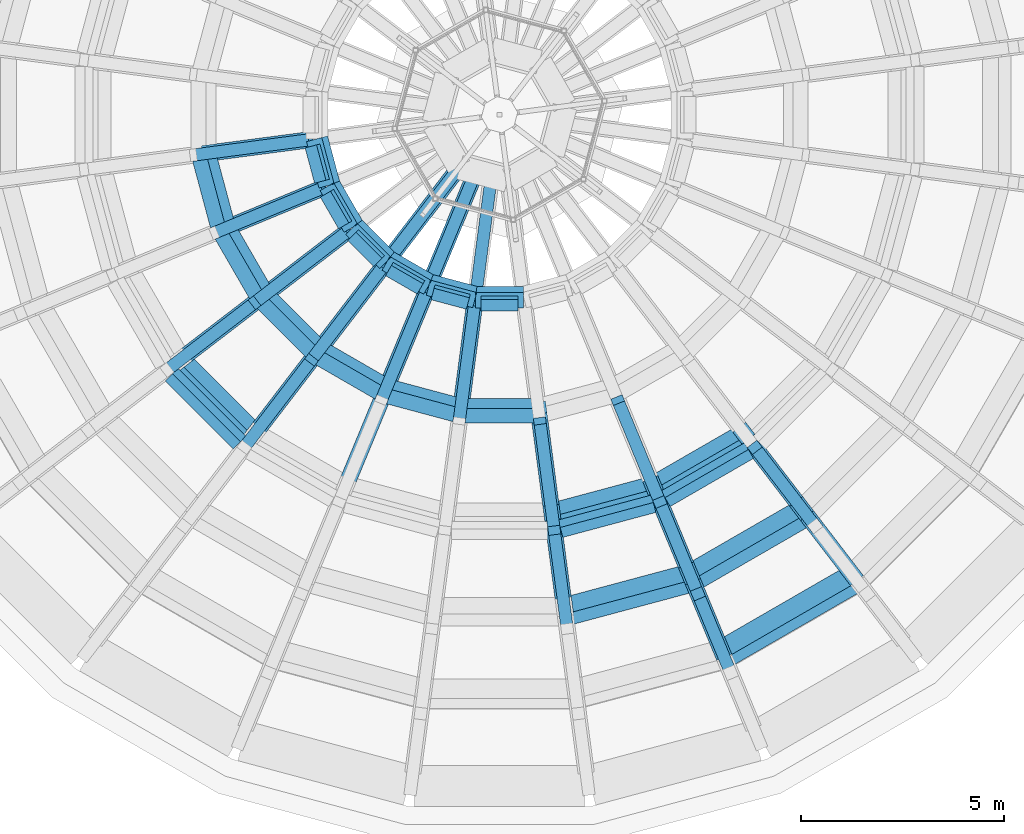
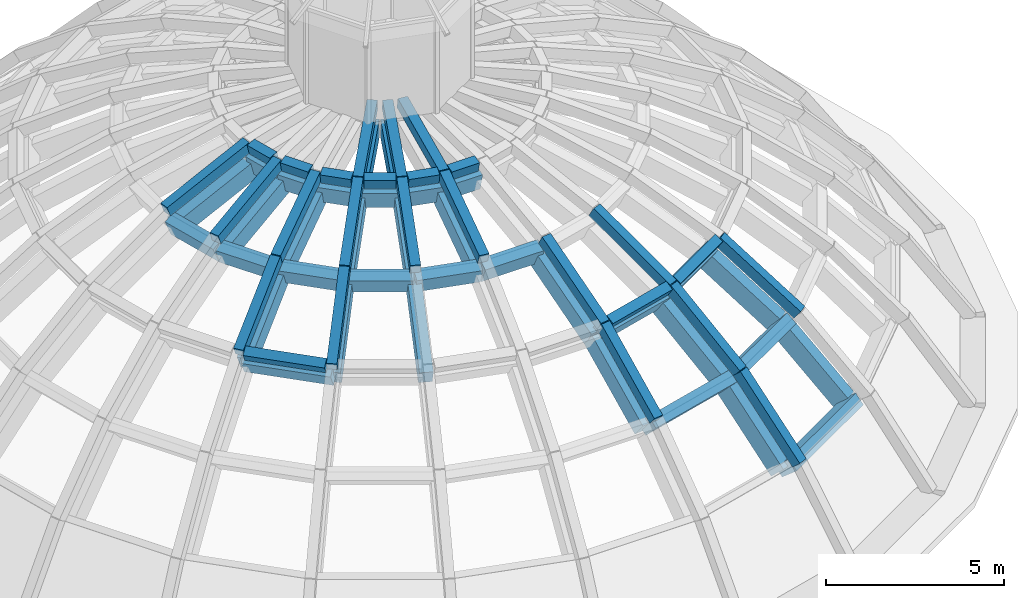
# One storey, part 11 of 29: 34 members, 27 beams.
"""IFC4 building model written with IfcOpenShell, lengths in metres."""

from ifc_helpers import new_model, si_unit, direction, frame, origin, origin_2d, place, context, subcontext, project, spatial, rectangle, extrude, material, material_profile, profile_set, type_object, element, save


model = new_model("IFC4")

# Units and contexts
model_context = context("Model", 3, precision=1e-05, world=origin(), true_north=direction((0.0, 1.0)))
body_context = subcontext(model_context, "Body", "Model", "MODEL_VIEW")
ifc_project = project(units=[si_unit("LENGTHUNIT", "METRE"), si_unit("AREAUNIT", "SQUARE_METRE"), si_unit("VOLUMEUNIT", "CUBIC_METRE"), si_unit("PLANEANGLEUNIT", "RADIAN"), si_unit("MASSUNIT", "GRAM", prefix="KILO")], contexts=[model_context])

# Site, building, storey
site_placement = place(None, origin())
site = spatial("IfcSite", under=ifc_project, at=site_placement, CompositionType="ELEMENT")
building_placement = place(site_placement, origin())
building = spatial("IfcBuilding", under=site, at=building_placement, Name="Golden Quay Civic Hall", CompositionType="ELEMENT")
storey_placement = place(building_placement, frame((0.0, 0.0, 27.0)))
storey = spatial("IfcBuildingStorey", under=building, at=storey_placement, Name="L06", CompositionType="ELEMENT", Elevation=27.0)

# Members
ifc_material_1 = material(Name="Concrete C40/50", Category="concrete")
ifc_material_profile_1 = material_profile(ifc_material_1, rectangle(XDim=0.39990234375, YDim=0.60009765625, at=origin_2d()), Name="RC 400x600")
ifc_profile_set_1 = profile_set([ifc_material_profile_1], Name="Concrete C40/50")
member_type_1 = type_object("IfcMemberType", Name="Reinforced concrete dome meridian rib 400x600", PredefinedType="STRUT", material=ifc_profile_set_1)
member_1_placement = place(storey_placement, frame((78.2939453125, 84.55126953125, 7.649169921875), z_axis=(0.937594712982, 0.123428723032, 0.325086918407), x_axis=(-0.130517915671, 0.991445950967, 0.0)))
element("IfcMember", 1, at=member_1_placement, inside=storey, type_object=member_type_1, Name="Dome meridian rib 13.5", PredefinedType="STRUT", context=body_context, shape_type="SweptSolid", body=[
    extrude(rectangle(XDim=0.39990234375, YDim=0.60009765625, at=origin_2d()), origin(), (0.0, 0.0, 1.0), 2.94921875),
])
for number, where, z_axis, x_axis, name in (
    (2, (78.784912109375, 82.718505859375, 7.649169921875), (0.87370637571, 0.361899031227, 0.325063471095), (-0.382681628015, 0.923880279895, 0.0), "Dome meridian rib 14.5"),
    (3, (77.673583984375, 79.49462890625, 6.25048828125), (0.698460851057, 0.535972269565, 0.47422164206), (-0.608778878712, 0.793339950358, 0.0), "Dome meridian rib 15.4"),
):
    element("IfcMember", number, at=place(storey_placement, frame(where, z_axis=z_axis, x_axis=x_axis)), inside=storey, type_object=member_type_1, Name=name, PredefinedType="STRUT", context=body_context, shape_type="SweptSolid", body=[
        extrude(rectangle(XDim=0.39990234375, YDim=0.60009765625, at=origin_2d()), origin(), (0.0, 0.0, 1.0), 2.949462890625),
    ])
member_2_placement = place(storey_placement, frame((79.733642578125, 81.075439453125, 7.649169921875), z_axis=(0.750307626123, 0.575644222425, 0.325072600153), x_axis=(-0.608703478453, 0.793397803954, 0.0)))
element("IfcMember", 4, at=member_2_placement, inside=storey, type_object=member_type_1, Name="Dome meridian rib 15.5", PredefinedType="STRUT", context=body_context, shape_type="SweptSolid", body=[
    extrude(rectangle(XDim=0.39990234375, YDim=0.60009765625, at=origin_2d()), origin(), (0.0, 0.0, 1.0), 2.94921875),
])
member_3_placement = place(storey_placement, frame((79.49462890625, 77.673583984375, 6.25048828125), z_axis=(0.535972269565, 0.698460851057, 0.47422164206), x_axis=(-0.793339950358, 0.608778878712, 0.0)))
element("IfcMember", 5, at=member_3_placement, inside=storey, type_object=member_type_1, Name="Dome meridian rib 16.4", PredefinedType="STRUT", context=body_context, shape_type="SweptSolid", body=[
    extrude(rectangle(XDim=0.39990234375, YDim=0.60009765625, at=origin_2d()), origin(), (0.0, 0.0, 1.0), 2.949462890625),
])
member_4_placement = place(storey_placement, frame((81.075439453125, 79.733642578125, 7.649169921875), z_axis=(0.575644222425, 0.750307626123, 0.325072600153), x_axis=(-0.793397803954, 0.608703478453, 0.0)))
element("IfcMember", 6, at=member_4_placement, inside=storey, type_object=member_type_1, Name="Dome meridian rib 16.5", PredefinedType="STRUT", context=body_context, shape_type="SweptSolid", body=[
    extrude(rectangle(XDim=0.39990234375, YDim=0.60009765625, at=origin_2d()), origin(), (0.0, 0.0, 1.0), 2.94921875),
])
member_5_placement = place(storey_placement, frame((82.773193359375, 81.946533203125, 8.60791015625), z_axis=(0.600193374761, 0.782130354175, 0.167451551116), x_axis=(-0.793331958561, 0.608789293209, 0.0)))
element("IfcMember", 7, at=member_5_placement, inside=storey, type_object=member_type_1, Name="Dome meridian rib 16.6", PredefinedType="STRUT", context=body_context, shape_type="SweptSolid", body=[
    extrude(rectangle(XDim=0.39990234375, YDim=0.60009765625, at=origin_2d()), origin(), (0.0, 0.0, 1.0), 2.949462890625),
])
member_6_placement = place(storey_placement, frame((81.724853515625, 76.385986328125, 6.25048828125), z_axis=(0.336908735718, 0.813382122153, 0.474238365338), x_axis=(-0.923881608957, 0.382678419342, 0.0)))
element("IfcMember", 8, at=member_6_placement, inside=storey, type_object=member_type_1, Name="Dome meridian rib 17.4", PredefinedType="STRUT", context=body_context, shape_type="SweptSolid", body=[
    extrude(rectangle(XDim=0.39990234375, YDim=0.60009765625, at=origin_2d()), origin(), (0.0, 0.0, 1.0), 2.94921875),
])
member_7_placement = place(storey_placement, frame((82.718505859375, 78.784912109375, 7.649169921875), z_axis=(0.361899031227, 0.87370637571, 0.325063471095), x_axis=(-0.923880279895, 0.382681628015, 0.0)))
element("IfcMember", 9, at=member_7_placement, inside=storey, type_object=member_type_1, Name="Dome meridian rib 17.5", PredefinedType="STRUT", context=body_context, shape_type="SweptSolid", body=[
    extrude(rectangle(XDim=0.39990234375, YDim=0.60009765625, at=origin_2d()), origin(), (0.0, 0.0, 1.0), 2.949462890625),
])
for number, where, z_axis, x_axis, name in (
    (10, (83.785888671875, 81.36181640625, 8.60791015625), (0.377308182311, 0.910820958747, 0.167462582891), (-0.923867414966, 0.382712685396, 0.0), "Dome meridian rib 17.6"),
    (11, (84.55126953125, 78.2939453125, 7.649169921875), (0.123428723032, 0.937594712982, 0.325086918407), (-0.991445950967, 0.130517915671, 0.0), "Dome meridian rib 18.5"),
    (12, (87.092529296875, 73.40380859375, 4.44970703125), (-0.103392551134, 0.785170814657, 0.61058723552), (-0.991441126748, -0.130554556385, 0.0), "Dome meridian rib 19.3"),
):
    element("IfcMember", number, at=place(storey_placement, frame(where, z_axis=z_axis, x_axis=x_axis)), inside=storey, type_object=member_type_1, Name=name, PredefinedType="STRUT", context=body_context, shape_type="SweptSolid", body=[
        extrude(rectangle(XDim=0.39990234375, YDim=0.60009765625, at=origin_2d()), origin(), (0.0, 0.0, 1.0), 2.94921875),
    ])
for number, where, z_axis, x_axis, name in (
    (13, (86.78759765625, 75.719482421875, 6.25048828125), (-0.114893336309, 0.87287480647, 0.474224728902), (-0.991448214162, -0.130500722737, 0.0), "Dome meridian rib 19.4"),
    (14, (90.939208984375, 72.36865234375, 2.293701171875), (-0.26115971051, 0.630425469175, 0.730998860069), (-0.923864542042, -0.382719620554, 0.0), "Dome meridian rib 20.2"),
):
    element("IfcMember", number, at=place(storey_placement, frame(where, z_axis=z_axis, x_axis=x_axis)), inside=storey, type_object=member_type_1, Name=name, PredefinedType="STRUT", context=body_context, shape_type="SweptSolid", body=[
        extrude(rectangle(XDim=0.39990234375, YDim=0.60009765625, at=origin_2d()), origin(), (0.0, 0.0, 1.0), 2.949462890625),
    ])
member_8_placement = place(storey_placement, frame((90.1689453125, 74.22802734375, 4.44970703125), z_axis=(-0.303052719311, 0.731680684509, 0.610575486926), x_axis=(-0.923888167801, -0.382662584265, 0.0)))
element("IfcMember", 15, at=member_8_placement, inside=storey, type_object=member_type_1, Name="Dome meridian rib 20.3", PredefinedType="STRUT", context=body_context, shape_type="SweptSolid", body=[
    extrude(rectangle(XDim=0.39990234375, YDim=0.60009765625, at=origin_2d()), origin(), (0.0, 0.0, 1.0), 2.94921875),
])
member_9_placement = place(storey_placement, frame((94.15234375, 74.223876953125, 2.293701171875), z_axis=(-0.415380151346, 0.541368312037, 0.731012777309), x_axis=(-0.793372000459, -0.608737109833, 0.0)))
element("IfcMember", 16, at=member_9_placement, inside=storey, type_object=member_type_1, Name="Dome meridian rib 21.2", PredefinedType="STRUT", context=body_context, shape_type="SweptSolid", body=[
    extrude(rectangle(XDim=0.39990234375, YDim=0.60009765625, at=origin_2d()), origin(), (0.0, 0.0, 1.0), 2.949462890625),
])
member_10_placement = place(storey_placement, frame((92.92724609375, 75.820556640625, 4.44970703125), z_axis=(-0.482109208153, 0.628298229719, 0.610583365271), x_axis=(-0.793353937939, -0.608760650139, 0.0)))
element("IfcMember", 17, at=member_10_placement, inside=storey, type_object=member_type_1, Name="Dome meridian rib 21.3", PredefinedType="STRUT", context=body_context, shape_type="SweptSolid", body=[
    extrude(rectangle(XDim=0.39990234375, YDim=0.60009765625, at=origin_2d()), origin(), (0.0, 0.0, 1.0), 2.94921875),
])
ifc_material_2 = material(Name="Concrete C40/50", Category="concrete")
ifc_material_profile_2 = material_profile(ifc_material_2, rectangle(XDim=0.300048828125, YDim=0.35009765625, at=origin_2d()), Name="RC 300x350")
ifc_profile_set_2 = profile_set([ifc_material_profile_2], Name="Concrete C40/50")
member_type_2 = type_object("IfcMemberType", Name="Reinforced concrete dome outer rib 300x350", PredefinedType="STRUT", material=ifc_profile_set_2)
for number, where, z_axis, x_axis, name in (
    (18, (77.973876953125, 84.50927734375, 8.386474609375), (0.937591847923, 0.123400719122, 0.325105812357), (-0.130489199571, 0.991449730846, 0.0), "Dome outer rib 13.5"),
    (19, (78.48681640625, 82.594970703125, 8.386474609375), (0.873682825945, 0.361901096187, 0.325124462671), (-0.382692296203, 0.923875860939, 0.0), "Dome outer rib 14.5"),
    (20, (77.325927734375, 79.227783203125, 6.926025390625), (0.698495937356, 0.53601815776, 0.474118086607), (-0.608792435052, 0.793329547555, 0.0), "Dome outer rib 15.4"),
):
    element("IfcMember", number, at=place(storey_placement, frame(where, z_axis=z_axis, x_axis=x_axis)), inside=storey, type_object=member_type_2, Name=name, PredefinedType="STRUT", context=body_context, shape_type="SweptSolid", body=[
        extrude(rectangle(XDim=0.300048828125, YDim=0.35009765625, at=origin_2d()), origin(), (0.0, 0.0, 1.0), 3.080322265625),
    ])
member_11_placement = place(storey_placement, frame((79.4775390625, 80.87890625, 8.386474609375), z_axis=(0.750306274823, 0.575628443439, 0.325103658955), x_axis=(-0.608693665393, 0.793405332545, 0.0)))
element("IfcMember", 21, at=member_11_placement, inside=storey, type_object=member_type_2, Name="Dome outer rib 15.5", PredefinedType="STRUT", context=body_context, shape_type="SweptSolid", body=[
    extrude(rectangle(XDim=0.300048828125, YDim=0.35009765625, at=origin_2d()), origin(), (0.0, 0.0, 1.0), 3.08056640625),
])
member_12_placement = place(storey_placement, frame((79.227783203125, 77.325927734375, 6.926025390625), z_axis=(0.53601815776, 0.698495937356, 0.474118086607), x_axis=(-0.793329547555, 0.608792435052, 0.0)))
element("IfcMember", 22, at=member_12_placement, inside=storey, type_object=member_type_2, Name="Dome outer rib 16.4", PredefinedType="STRUT", context=body_context, shape_type="SweptSolid", body=[
    extrude(rectangle(XDim=0.300048828125, YDim=0.35009765625, at=origin_2d()), origin(), (0.0, 0.0, 1.0), 3.080322265625),
])
member_13_placement = place(storey_placement, frame((80.87890625, 79.4775390625, 8.386474609375), z_axis=(0.575628443439, 0.750306274823, 0.325103658955), x_axis=(-0.793405332545, 0.608693665393, 0.0)))
element("IfcMember", 23, at=member_13_placement, inside=storey, type_object=member_type_2, Name="Dome outer rib 16.5", PredefinedType="STRUT", context=body_context, shape_type="SweptSolid", body=[
    extrude(rectangle(XDim=0.300048828125, YDim=0.35009765625, at=origin_2d()), origin(), (0.0, 0.0, 1.0), 3.08056640625),
])
for number, where, z_axis, x_axis, name in (
    (24, (82.652099609375, 81.788818359375, 9.387939453125), (0.600214696758, 0.782109946865, 0.167470441602), (-0.793313840968, 0.608812902072, 0.0), "Dome outer rib 16.6"),
    (25, (82.594970703125, 78.48681640625, 8.386474609375), (0.361901096187, 0.873682825945, 0.325124462671), (-0.923875860939, 0.382692296203, 0.0), "Dome outer rib 17.5"),
):
    element("IfcMember", number, at=place(storey_placement, frame(where, z_axis=z_axis, x_axis=x_axis)), inside=storey, type_object=member_type_2, Name=name, PredefinedType="STRUT", context=body_context, shape_type="SweptSolid", body=[
        extrude(rectangle(XDim=0.300048828125, YDim=0.35009765625, at=origin_2d()), origin(), (0.0, 0.0, 1.0), 3.080322265625),
    ])
member_14_placement = place(storey_placement, frame((83.709716796875, 81.177978515625, 9.387939453125), z_axis=(0.377241833986, 0.91084882311, 0.167460503196), x_axis=(-0.923895347406, 0.3826452496, 0.0)))
element("IfcMember", 26, at=member_14_placement, inside=storey, type_object=member_type_2, Name="Dome outer rib 17.6", PredefinedType="STRUT", context=body_context, shape_type="SweptSolid", body=[
    extrude(rectangle(XDim=0.300048828125, YDim=0.35009765625, at=origin_2d()), origin(), (0.0, 0.0, 1.0), 3.08056640625),
])
for number, where, z_axis, x_axis, name in (
    (27, (84.50927734375, 77.973876953125, 8.386474609375), (0.123400719122, 0.937591847923, 0.325105812357), (-0.991449730846, 0.130489199571, 0.0), "Dome outer rib 18.5"),
    (28, (84.889404296875, 80.862060546875, 9.387939453125), (0.128718589273, 0.977436972239, 0.167476834442), (-0.991440060313, 0.130562654715, 0.0), "Dome outer rib 18.6"),
    (29, (87.1630859375, 72.86669921875, 5.044921875), (-0.10335015633, 0.78511246059, 0.610669443655), (-0.991446799418, -0.130511470467, 0.0), "Dome outer rib 19.3"),
):
    element("IfcMember", number, at=place(storey_placement, frame(where, z_axis=z_axis, x_axis=x_axis)), inside=storey, type_object=member_type_2, Name=name, PredefinedType="STRUT", context=body_context, shape_type="SweptSolid", body=[
        extrude(rectangle(XDim=0.300048828125, YDim=0.35009765625, at=origin_2d()), origin(), (0.0, 0.0, 1.0), 3.080322265625),
    ])
member_15_placement = place(storey_placement, frame((86.8447265625, 75.28515625, 6.926025390625), z_axis=(-0.114929974658, 0.872912973044, 0.474145592005), x_axis=(-0.991443567654, -0.130536018623, 0.0)))
element("IfcMember", 30, at=member_15_placement, inside=storey, type_object=member_type_2, Name="Dome outer rib 19.4", PredefinedType="STRUT", context=body_context, shape_type="SweptSolid", body=[
    extrude(rectangle(XDim=0.300048828125, YDim=0.35009765625, at=origin_2d()), origin(), (0.0, 0.0, 1.0), 3.080078125),
])
for number, where, z_axis, x_axis, name in (
    (31, (91.1806640625, 71.78564453125, 2.793212890625), (-0.261157075821, 0.630422877415, 0.731002036509), (-0.923865350906, -0.382717667995, 0.0), "Dome outer rib 20.2"),
    (32, (90.376220703125, 73.7275390625, 5.044921875), (-0.302999100453, 0.731620375695, 0.61067435757), (-0.923900953555, -0.382631713297, 0.0), "Dome outer rib 20.3"),
    (33, (89.44287109375, 75.981201171875, 6.926025390625), (-0.336930808677, 0.813437047625, 0.474128463304), (-0.923881881036, -0.382677762475, 0.0), "Dome outer rib 20.4"),
    (34, (93.257080078125, 75.390869140625, 5.044921875), (-0.482062360304, 0.628218722093, 0.610702151618), (-0.793345301321, -0.608771905455, 0.0), "Dome outer rib 21.3"),
):
    element("IfcMember", number, at=place(storey_placement, frame(where, z_axis=z_axis, x_axis=x_axis)), inside=storey, type_object=member_type_2, Name=name, PredefinedType="STRUT", context=body_context, shape_type="SweptSolid", body=[
        extrude(rectangle(XDim=0.300048828125, YDim=0.35009765625, at=origin_2d()), origin(), (0.0, 0.0, 1.0), 3.080322265625),
    ])

# Beams
ifc_material_3 = material(Name="Concrete C40/50", Category="concrete")
ifc_material_profile_3 = material_profile(ifc_material_3, rectangle(XDim=0.300048828125, YDim=0.35009765625, at=origin_2d()), Name="RC 300x350")
ifc_profile_set_3 = profile_set([ifc_material_profile_3], Name="Concrete C40/50")
beam_type_1 = type_object("IfcBeamType", Name="Reinforced concrete dome outer ring beam 300x350", PredefinedType="BEAM", material=ifc_profile_set_3)
beam_1_placement = place(storey_placement, frame((77.440185546875, 79.11376953125, 6.926025390625), z_axis=(0.707106781187, -0.707106781187, 0.0), x_axis=(0.593227182039, 0.593227182039, 0.544208618988)))
element("IfcBeam", 35, at=beam_1_placement, inside=storey, type_object=beam_type_1, Name="Dome outer ring beam segment 15", PredefinedType="BEAM", context=body_context, shape_type="SweptSolid", body=[
    extrude(rectangle(XDim=0.300048828125, YDim=0.35009765625, at=origin_2d()), origin(), (0.0, 0.0, 1.0), 2.36669921875),
])
beam_2_placement = place(storey_placement, frame((87.00048828125, 75.326904296875, 6.926025390625), z_axis=(0.965941607323, 0.258760142299, 0.0), x_axis=(-0.217086802339, 0.810376640378, 0.544208618988)))
element("IfcBeam", 36, at=beam_2_placement, inside=storey, type_object=beam_type_1, Name="Dome outer ring beam segment 19", PredefinedType="BEAM", context=body_context, shape_type="SweptSolid", body=[
    extrude(rectangle(XDim=0.300048828125, YDim=0.35009765625, at=origin_2d()), origin(), (0.0, 0.0, 1.0), 2.3671875),
])
beam_3_placement = place(storey_placement, frame((89.58251953125, 76.06201171875, 6.926025390625), z_axis=(0.866044736887, 0.499966512588, 0.0), x_axis=(-0.419446868942, 0.726568168277, 0.544208618988)))
element("IfcBeam", 37, at=beam_3_placement, inside=storey, type_object=beam_type_1, Name="Dome outer ring beam segment 20", PredefinedType="BEAM", context=body_context, shape_type="SweptSolid", body=[
    extrude(rectangle(XDim=0.300048828125, YDim=0.35009765625, at=origin_2d()), origin(), (0.0, 0.0, 1.0), 2.366943359375),
])
beam_4_placement = place(storey_placement, frame((80.90380859375, 84.733642578125, 9.387939453125), z_axis=(0.258609351425, -0.965981989147, 0.0), x_axis=(0.936028419209, 0.250590285458, 0.247093721627)))
element("IfcBeam", 38, at=beam_4_placement, inside=storey, type_object=beam_type_1, Name="Dome crown outer ring beam segment 13", PredefinedType="BEAM", context=body_context, shape_type="SweptSolid", body=[
    extrude(rectangle(XDim=0.300048828125, YDim=0.35009765625, at=origin_2d()), origin(), (0.0, 0.0, 1.0), 0.898681640625),
])
beam_5_placement = place(storey_placement, frame((81.2587890625, 83.570068359375, 9.387939453125), z_axis=(0.499996880198, -0.866027204995, 0.0), x_axis=(0.839173074438, 0.484492769679, 0.247093721627)))
element("IfcBeam", 39, at=beam_5_placement, inside=storey, type_object=beam_type_1, Name="Dome crown outer ring beam segment 14", PredefinedType="BEAM", context=body_context, shape_type="SweptSolid", body=[
    extrude(rectangle(XDim=0.300048828125, YDim=0.35009765625, at=origin_2d()), origin(), (0.0, 0.0, 1.0), 0.8984375),
])
beam_6_placement = place(storey_placement, frame((81.902587890625, 82.5380859375, 9.387939453125), z_axis=(0.707106781187, -0.707106781187, 0.0), x_axis=(0.685180521006, 0.685180521006, 0.247093721627)))
element("IfcBeam", 40, at=beam_6_placement, inside=storey, type_object=beam_type_1, Name="Dome crown outer ring beam segment 15", PredefinedType="BEAM", context=body_context, shape_type="SweptSolid", body=[
    extrude(rectangle(XDim=0.300048828125, YDim=0.35009765625, at=origin_2d()), origin(), (0.0, 0.0, 1.0), 0.898681640625),
])
beam_7_placement = place(storey_placement, frame((82.7919921875, 81.7080078125, 9.387939453125), z_axis=(0.866027204995, -0.499996880198, 0.0), x_axis=(0.484492769679, 0.839173074438, 0.247093721627)))
element("IfcBeam", 41, at=beam_7_placement, inside=storey, type_object=beam_type_1, Name="Dome crown outer ring beam segment 16", PredefinedType="BEAM", context=body_context, shape_type="SweptSolid", body=[
    extrude(rectangle(XDim=0.300048828125, YDim=0.35009765625, at=origin_2d()), origin(), (0.0, 0.0, 1.0), 0.8984375),
])
beam_8_placement = place(storey_placement, frame((83.865478515625, 81.13623046875, 9.387939453125), z_axis=(0.965981989147, -0.258609351425, 0.0), x_axis=(0.250590285458, 0.936028419209, 0.247093721627)))
element("IfcBeam", 42, at=beam_8_placement, inside=storey, type_object=beam_type_1, Name="Dome crown outer ring beam segment 17", PredefinedType="BEAM", context=body_context, shape_type="SweptSolid", body=[
    extrude(rectangle(XDim=0.300048828125, YDim=0.35009765625, at=origin_2d()), origin(), (0.0, 0.0, 1.0), 0.898681640625),
])
beam_9_placement = place(storey_placement, frame((85.05078125, 80.862060546875, 9.387939453125), z_axis=(1.0, 0.0, 0.0), x_axis=(0.0, 0.968991585481, 0.247093721627)))
element("IfcBeam", 43, at=beam_9_placement, inside=storey, type_object=beam_type_1, Name="Dome crown outer ring beam segment 18", PredefinedType="BEAM", context=body_context, shape_type="SweptSolid", body=[
    extrude(rectangle(XDim=0.300048828125, YDim=0.35009765625, at=origin_2d()), origin(), (0.0, 0.0, 1.0), 0.8984375),
])
ifc_material_4 = material(Name="Concrete C40/50", Category="concrete")
ifc_material_profile_4 = material_profile(ifc_material_4, rectangle(XDim=0.39990234375, YDim=0.60009765625, at=origin_2d()), Name="RC 400x600")
ifc_profile_set_4 = profile_set([ifc_material_profile_4], Name="Concrete C40/50")
beam_type_2 = type_object("IfcBeamType", Name="Reinforced concrete dome ring rib 400x600", PredefinedType="BEAM", material=ifc_profile_set_4)
beam_10_placement = place(storey_placement, frame((90.9931640625, 72.23828125, 2.405517578125), z_axis=(0.866001134469, 0.500042033332, 0.0), x_axis=(-0.310356449688, 0.537492889806, 0.784079248256)))
element("IfcBeam", 44, at=beam_10_placement, inside=storey, type_object=beam_type_2, Name="Dome ring rib 1.20", PredefinedType="BEAM", context=body_context, shape_type="SweptSolid", body=[
    extrude(rectangle(XDim=0.39990234375, YDim=0.60009765625, at=origin_2d()), origin(), (0.0, 0.0, 1.0), 3.747314453125),
])
for number, where, z_axis, x_axis, name in (
    (45, (87.1083984375, 73.28369140625, 4.582763671875), (0.96592433524, 0.25882460971, 0.0), (-0.191425304502, 0.714392500027, 0.673052530418), "Dome ring rib 2.19"),
    (46, (90.21533203125, 74.1162109375, 4.582763671875), (0.866011158645, 0.500024672494, 0.0), (-0.369815587852, 0.640497246114, 0.673052530418), "Dome ring rib 2.20"),
):
    element("IfcBeam", number, at=place(storey_placement, frame(where, z_axis=z_axis, x_axis=x_axis)), inside=storey, type_object=beam_type_2, Name=name, PredefinedType="BEAM", context=body_context, shape_type="SweptSolid", body=[
        extrude(rectangle(XDim=0.39990234375, YDim=0.60009765625, at=origin_2d()), origin(), (0.0, 0.0, 1.0), 3.216552734375),
    ])
beam_11_placement = place(storey_placement, frame((77.595947265625, 79.434814453125, 6.401611328125), z_axis=(0.707106781187, -0.707106781187, 0.0), x_axis=(0.593227182039, 0.593227182039, 0.544208618988)))
element("IfcBeam", 47, at=beam_11_placement, inside=storey, type_object=beam_type_2, Name="Dome ring rib 3.15", PredefinedType="BEAM", context=body_context, shape_type="SweptSolid", body=[
    extrude(rectangle(XDim=0.39990234375, YDim=0.60009765625, at=origin_2d()), origin(), (0.0, 0.0, 1.0), 2.6005859375),
])
beam_12_placement = place(storey_placement, frame((86.80029296875, 75.622314453125, 6.401611328125), z_axis=(0.965936740189, 0.258778310437, 0.0), x_axis=(-0.217102044497, 0.810372557096, 0.544208618988)))
element("IfcBeam", 48, at=beam_12_placement, inside=storey, type_object=beam_type_2, Name="Dome ring rib 3.19", PredefinedType="BEAM", context=body_context, shape_type="SweptSolid", body=[
    extrude(rectangle(XDim=0.39990234375, YDim=0.60009765625, at=origin_2d()), origin(), (0.0, 0.0, 1.0), 2.60107421875),
])
beam_13_placement = place(storey_placement, frame((89.312744140625, 76.29541015625, 6.401611328125), z_axis=(0.866010510293, 0.500025795397, 0.0), x_axis=(-0.41949660425, 0.726539453879, 0.544208618988)))
element("IfcBeam", 49, at=beam_13_placement, inside=storey, type_object=beam_type_2, Name="Dome ring rib 3.20", PredefinedType="BEAM", context=body_context, shape_type="SweptSolid", body=[
    extrude(rectangle(XDim=0.39990234375, YDim=0.60009765625, at=origin_2d()), origin(), (0.0, 0.0, 1.0), 2.600830078125),
])
for number, where, z_axis, x_axis, name in (
    (50, (78.222412109375, 84.5419921875, 7.81396484375), (0.258748821383, -0.965944639942, 0.0), (0.884898317134, 0.237038839633, 0.40095829813), "Dome ring rib 4.13"),
    (51, (78.71826171875, 82.69091796875, 7.81396484375), (0.500071685664, -0.865984012091, 0.0), (0.793324755143, 0.458113824325, 0.40095829813), "Dome ring rib 4.14"),
    (52, (79.676513671875, 81.031494140625, 7.81396484375), (0.707106781187, -0.707106781187, 0.0), (0.647777910692, 0.647777910692, 0.40095829813), "Dome ring rib 4.15"),
    (53, (81.031494140625, 79.676513671875, 7.81396484375), (0.865984012091, -0.500071685664, 0.0), (0.458113824325, 0.793324755143, 0.40095829813), "Dome ring rib 4.16"),
    (54, (82.69091796875, 78.71826171875, 7.81396484375), (0.965944639942, -0.258748821383, 0.0), (0.237038839633, 0.884898317134, 0.40095829813), "Dome ring rib 4.17"),
):
    element("IfcBeam", number, at=place(storey_placement, frame(where, z_axis=z_axis, x_axis=x_axis)), inside=storey, type_object=beam_type_2, Name=name, PredefinedType="BEAM", context=body_context, shape_type="SweptSolid", body=[
        extrude(rectangle(XDim=0.39990234375, YDim=0.60009765625, at=origin_2d()), origin(), (0.0, 0.0, 1.0), 1.916259765625),
    ])
beam_14_placement = place(storey_placement, frame((84.5419921875, 78.222412109375, 7.81396484375), z_axis=(1.0, 0.0, 0.0), x_axis=(0.0, 0.916096306706, 0.40095829813)))
element("IfcBeam", 55, at=beam_14_placement, inside=storey, type_object=beam_type_2, Name="Dome ring rib 4.18", PredefinedType="BEAM", context=body_context, shape_type="SweptSolid", body=[
    extrude(rectangle(XDim=0.39990234375, YDim=0.60009765625, at=origin_2d()), origin(), (0.0, 0.0, 1.0), 1.916015625),
])
beam_15_placement = place(storey_placement, frame((81.01513671875, 84.90966796875, 8.7822265625), z_axis=(0.258794633734, -0.965932366965, 0.0), x_axis=(0.935980335732, 0.250769822456, 0.247093721627)))
element("IfcBeam", 56, at=beam_15_placement, inside=storey, type_object=beam_type_2, Name="Dome ring rib 5.13", PredefinedType="BEAM", context=body_context, shape_type="SweptSolid", body=[
    extrude(rectangle(XDim=0.39990234375, YDim=0.60009765625, at=origin_2d()), origin(), (0.0, 0.0, 1.0), 1.18115234375),
])
for number, where, z_axis, x_axis, name in (
    (57, (81.32080078125, 83.768798828125, 8.7822265625), (0.499919322631, -0.866071977875, 0.0), (0.839216458981, 0.484417617049, 0.247093721627), "Dome ring rib 5.14"),
    (58, (81.9111328125, 82.74609375, 8.7822265625), (0.707106781187, -0.707106781187, 0.0), (0.685180521006, 0.685180521006, 0.247093721627), "Dome ring rib 5.15"),
    (59, (82.74609375, 81.9111328125, 8.7822265625), (0.866071977875, -0.499919322631, 0.0), (0.484417617049, 0.839216458981, 0.247093721627), "Dome ring rib 5.16"),
):
    element("IfcBeam", number, at=place(storey_placement, frame(where, z_axis=z_axis, x_axis=x_axis)), inside=storey, type_object=beam_type_2, Name=name, PredefinedType="BEAM", context=body_context, shape_type="SweptSolid", body=[
        extrude(rectangle(XDim=0.39990234375, YDim=0.60009765625, at=origin_2d()), origin(), (0.0, 0.0, 1.0), 1.180908203125),
    ])
beam_16_placement = place(storey_placement, frame((83.768798828125, 81.32080078125, 8.7822265625), z_axis=(0.965932366965, -0.258794633734, 0.0), x_axis=(0.250769822456, 0.935980335732, 0.247093721627)))
element("IfcBeam", 60, at=beam_16_placement, inside=storey, type_object=beam_type_2, Name="Dome ring rib 5.17", PredefinedType="BEAM", context=body_context, shape_type="SweptSolid", body=[
    extrude(rectangle(XDim=0.39990234375, YDim=0.60009765625, at=origin_2d()), origin(), (0.0, 0.0, 1.0), 1.18115234375),
])
beam_17_placement = place(storey_placement, frame((84.90966796875, 81.01513671875, 8.7822265625), z_axis=(1.0, 0.0, 0.0), x_axis=(0.0, 0.968991585481, 0.247093721627)))
element("IfcBeam", 61, at=beam_17_placement, inside=storey, type_object=beam_type_2, Name="Dome ring rib 5.18", PredefinedType="BEAM", context=body_context, shape_type="SweptSolid", body=[
    extrude(rectangle(XDim=0.39990234375, YDim=0.60009765625, at=origin_2d()), origin(), (0.0, 0.0, 1.0), 1.1806640625),
])

save(model, "model.ifc")
